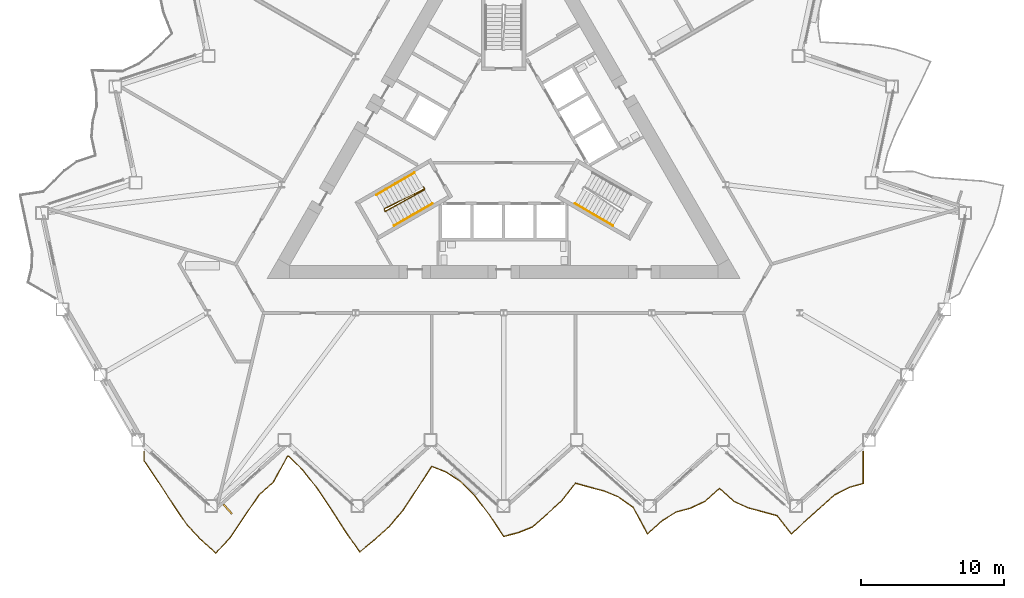
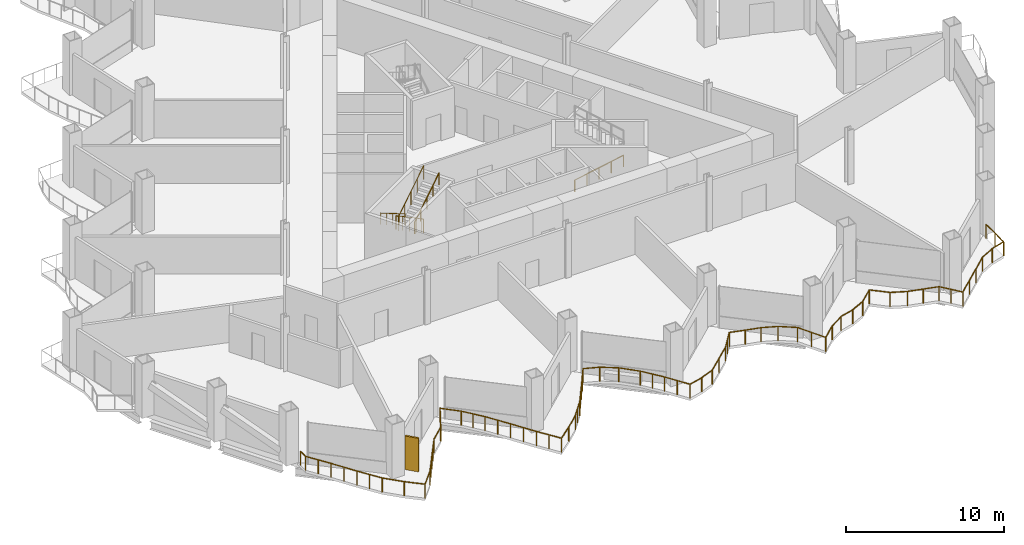
# One storey, part 17 of 21: 5 railings, 1 shading device.
"""IFC4 building model written with IfcOpenShell, lengths in metres."""

from ifc_helpers import new_model, si_unit, direction, frame, origin, origin_2d, place, context, subcontext, project, spatial, rectangle, circle, extrude, material, layer, layer_set, type_object, element, save


model = new_model("IFC4")

# Units and contexts
model_context = context("Model", 3, precision=1e-05, world=origin(), true_north=direction((0.0, 1.0)))
body_context = subcontext(model_context, "Body", "Model", "MODEL_VIEW")
ifc_project = project(units=[si_unit("LENGTHUNIT", "METRE"), si_unit("AREAUNIT", "SQUARE_METRE"), si_unit("VOLUMEUNIT", "CUBIC_METRE"), si_unit("PLANEANGLEUNIT", "RADIAN"), si_unit("MASSUNIT", "GRAM", prefix="KILO")], contexts=[model_context])

# Site, building, storey
site_placement = place(None, origin())
site = spatial("IfcSite", under=ifc_project, at=site_placement, CompositionType="ELEMENT")
building_placement = place(site_placement, origin())
building = spatial("IfcBuilding", under=site, at=building_placement, Name="Cormorant Prow Tower", CompositionType="ELEMENT")
storey_placement = place(building_placement, frame((0.0, 0.0, 120.60009765625)))
storey = spatial("IfcBuildingStorey", under=building, at=storey_placement, Name="L25", CompositionType="ELEMENT", Elevation=120.60009765625)

# Railings
ifc_material_1 = material(Name="Aluminium 6063-T6", Category="aluminium")
railing_type_1 = type_object("IfcRailingType", Name="Balcony guard 1100", PredefinedType="GUARDRAIL", material=ifc_material_1)
railing_1_placement = place(storey_placement, frame((-25.090087890625, -21.60546875, 0.0)))
element("IfcRailing", 1, at=railing_1_placement, inside=storey, type_object=railing_type_1, Name="Balcony guard S", PredefinedType="GUARDRAIL", context=body_context, shape_type="SweptSolid", body=[
    extrude(circle(Radius=0.02392578125, at=origin_2d()), frame((0.0, 0.0, 1.076171875), z_axis=(0.0, -1.0, 0.0), x_axis=(1.0, 0.0, 0.0)), (0.0, 0.0, 1.0), 0.63623046875),
    extrude(circle(Radius=0.02392578125, at=origin_2d()), frame((0.0, -0.63623046875, 1.076171875), z_axis=(0.563273034102, -0.82627083275, 0.0), x_axis=(0.82627083275, 0.563273034102, 0.0)), (0.0, 0.0, 1.0), 1.781494140625),
    extrude(circle(Radius=0.02392578125, at=origin_2d()), frame((1.00341796875, -2.108154296875, 1.076171875), z_axis=(0.541349794121, -0.840797478829, 0.0), x_axis=(0.840797478829, 0.541349794121, 0.0)), (0.0, 0.0, 1.0), 1.85400390625),
    extrude(circle(Radius=0.02392578125, at=origin_2d()), frame((2.007080078125, -3.6669921875, 1.076171875), z_axis=(0.565028770778, -0.825071201893, 0.0), x_axis=(0.825071201893, 0.565028770778, 0.0)), (0.0, 0.0, 1.0), 1.7763671875),
    extrude(circle(Radius=0.02392578125, at=origin_2d()), frame((3.0107421875, -5.132568359375, 1.076171875), z_axis=(0.690288024563, -0.723534686899, 0.0), x_axis=(0.723534686899, 0.690288024563, 0.0)), (0.0, 0.0, 1.0), 1.453857421875),
    extrude(circle(Radius=0.02392578125, at=origin_2d()), frame((4.014404296875, -6.1845703125, 1.076171875), z_axis=(0.743195257304, -0.669074591896, 0.0), x_axis=(0.669074591896, 0.743195257304, 0.0)), (0.0, 0.0, 1.0), 1.3505859375),
    extrude(circle(Radius=0.02392578125, at=origin_2d()), frame((5.01806640625, -7.088134765625, 1.076171875), z_axis=(0.671858739317, 0.740679306045, 0.0), x_axis=(-0.740679306045, 0.671858739317, 0.0)), (0.0, 0.0, 1.0), 1.493408203125),
    extrude(circle(Radius=0.02392578125, at=origin_2d()), frame((6.021484375, -5.98193359375, 1.076171875), z_axis=(0.560064685087, 0.828448881054, 0.0), x_axis=(-0.828448881054, 0.560064685087, 0.0)), (0.0, 0.0, 1.0), 1.7919921875),
    extrude(circle(Radius=0.02392578125, at=origin_2d()), frame((7.025146484375, -4.497314453125, 1.076171875), z_axis=(0.56387723091, 0.825858624984, 0.0), x_axis=(-0.825858624984, 0.56387723091, 0.0)), (0.0, 0.0, 1.0), 1.780029296875),
    extrude(circle(Radius=0.02392578125, at=origin_2d()), frame((8.02880859375, -3.02734375, 1.076171875), z_axis=(0.743105367012, 0.669174426826, 0.0), x_axis=(-0.669174426826, 0.743105367012, 0.0)), (0.0, 0.0, 1.0), 1.3505859375),
    extrude(circle(Radius=0.02392578125, at=origin_2d()), frame((9.032470703125, -2.12353515625, 1.076171875), z_axis=(0.480768788169, 0.876847405381, 0.0), x_axis=(-0.876847405381, 0.480768788169, 0.0)), (0.0, 0.0, 1.0), 2.087158203125),
    extrude(circle(Radius=0.02392578125, at=origin_2d()), frame((10.035888671875, -0.29345703125, 1.076171875), z_axis=(0.726272924684, -0.68740645827, 0.0), x_axis=(0.68740645827, 0.726272924684, 0.0)), (0.0, 0.0, 1.0), 1.3818359375),
    extrude(circle(Radius=0.02392578125, at=origin_2d()), frame((11.03955078125, -1.243408203125, 1.076171875), z_axis=(0.618784981269, -0.785560403124, 0.0), x_axis=(0.785560403124, 0.618784981269, 0.0)), (0.0, 0.0, 1.0), 1.6220703125),
    extrude(circle(Radius=0.02392578125, at=origin_2d()), frame((12.043212890625, -2.517578125, 1.076171875), z_axis=(0.556980517301, -0.830525558515, 0.0), x_axis=(0.830525558515, 0.556980517301, 0.0)), (0.0, 0.0, 1.0), 1.802001953125),
    extrude(circle(Radius=0.02392578125, at=origin_2d()), frame((13.046875, -4.01416015625, 1.076171875), z_axis=(0.541916624032, -0.840432253426, 0.0), x_axis=(0.840432253426, 0.541916624032, 0.0)), (0.0, 0.0, 1.0), 1.8515625),
    extrude(circle(Radius=0.02392578125, at=origin_2d()), frame((14.05029296875, -5.5703125, 1.076171875), z_axis=(0.572732805864, -0.819742113769, 0.0), x_axis=(0.819742113769, 0.572732805864, 0.0)), (0.0, 0.0, 1.0), 1.75244140625),
    extrude(circle(Radius=0.02392578125, at=origin_2d()), frame((15.053955078125, -7.0068359375, 1.076171875), z_axis=(0.773546340467, 0.633739740864, 0.0), x_axis=(-0.633739740864, 0.773546340467, 0.0)), (0.0, 0.0, 1.0), 1.29736328125),
    extrude(circle(Radius=0.02392578125, at=origin_2d()), frame((16.0576171875, -6.1845703125, 1.076171875), z_axis=(0.743195257304, 0.669074591896, 0.0), x_axis=(-0.669074591896, 0.743195257304, 0.0)), (0.0, 0.0, 1.0), 1.3505859375),
    extrude(circle(Radius=0.02392578125, at=origin_2d()), frame((17.061279296875, -5.281005859375, 1.076171875), z_axis=(0.646830511403, 0.762633784668, 0.0), x_axis=(-0.762633784668, 0.646830511403, 0.0)), (0.0, 0.0, 1.0), 1.5517578125),
    extrude(circle(Radius=0.02392578125, at=origin_2d()), frame((18.06494140625, -4.09765625, 1.076171875), z_axis=(0.554233434117, 0.832361280038, 0.0), x_axis=(-0.832361280038, 0.554233434117, 0.0)), (0.0, 0.0, 1.0), 1.810791015625),
    extrude(circle(Radius=0.02392578125, at=origin_2d()), frame((19.068603515625, -2.59033203125, 1.076171875), z_axis=(0.542638004838, 0.839966663449, 0.0), x_axis=(-0.839966663449, 0.542638004838, 0.0)), (0.0, 0.0, 1.0), 1.84912109375),
    extrude(circle(Radius=0.02392578125, at=origin_2d()), frame((20.072021484375, -1.037109375, 1.076171875), z_axis=(0.933128983239, -0.359541792618, 0.0), x_axis=(0.359541792618, 0.933128983239, 0.0)), (0.0, 0.0, 1.0), 1.07568359375),
    extrude(circle(Radius=0.02392578125, at=origin_2d()), frame((21.07568359375, -1.423828125, 1.076171875), z_axis=(0.834913663391, -0.550380935974, 0.0), x_axis=(0.550380935974, 0.834913663391, 0.0)), (0.0, 0.0, 1.0), 1.2021484375),
    extrude(circle(Radius=0.02392578125, at=origin_2d()), frame((22.079345703125, -2.08544921875, 1.076171875), z_axis=(0.707536920845, -0.706676379711, 0.0), x_axis=(0.706676379711, 0.707536920845, 0.0)), (0.0, 0.0, 1.0), 1.41845703125),
    extrude(circle(Radius=0.02392578125, at=origin_2d()), frame((23.0830078125, -3.087890625, 1.076171875), z_axis=(0.606140966144, -0.795357233677, 0.0), x_axis=(0.795357233677, 0.606140966144, 0.0)), (0.0, 0.0, 1.0), 1.655517578125),
    extrude(circle(Radius=0.02392578125, at=origin_2d()), frame((24.08642578125, -4.404541015625, 1.076171875), z_axis=(0.551754340842, -0.834006683044, 0.0), x_axis=(0.834006683044, 0.551754340842, 0.0)), (0.0, 0.0, 1.0), 1.819091796875),
    extrude(circle(Radius=0.02392578125, at=origin_2d()), frame((25.090087890625, -5.921630859375, 1.076171875), z_axis=(0.968499426252, 0.249015785344, 0.0), x_axis=(-0.249015785344, 0.968499426252, 0.0)), (0.0, 0.0, 1.0), 1.036376953125),
    extrude(circle(Radius=0.02392578125, at=origin_2d()), frame((26.09375, -5.66357421875, 1.076171875), z_axis=(0.927774479402, 0.373141414708, 0.0), x_axis=(-0.373141414708, 0.927774479402, 0.0)), (0.0, 0.0, 1.0), 1.08154296875),
    extrude(circle(Radius=0.02392578125, at=origin_2d()), frame((27.09716796875, -5.260009765625, 1.076171875), z_axis=(0.750865676171, 0.660454946494, 0.0), x_axis=(-0.660454946494, 0.750865676171, 0.0)), (0.0, 0.0, 1.0), 1.336669921875),
    extrude(circle(Radius=0.02392578125, at=origin_2d()), frame((28.100830078125, -4.377197265625, 1.076171875), z_axis=(0.743195257304, 0.669074591896, 0.0), x_axis=(-0.669074591896, 0.743195257304, 0.0)), (0.0, 0.0, 1.0), 1.3505859375),
    extrude(circle(Radius=0.02392578125, at=origin_2d()), frame((29.1044921875, -3.4736328125, 1.076171875), z_axis=(0.621500310543, 0.783413916136, 0.0), x_axis=(-0.783413916136, 0.621500310543, 0.0)), (0.0, 0.0, 1.0), 1.614990234375),
    extrude(circle(Radius=0.02392578125, at=origin_2d()), frame((30.108154296875, -2.20849609375, 1.076171875), z_axis=(0.962890989159, -0.26989061302, 0.0), x_axis=(0.26989061302, 0.962890989159, 0.0)), (0.0, 0.0, 1.0), 1.0419921875),
    extrude(circle(Radius=0.02392578125, at=origin_2d()), frame((31.111572265625, -2.48974609375, 1.076171875), z_axis=(0.967296661406, -0.253647725856, 0.0), x_axis=(0.253647725856, 0.967296661406, 0.0)), (0.0, 0.0, 1.0), 1.03759765625),
    extrude(circle(Radius=0.02392578125, at=origin_2d()), frame((32.115234375, -2.7529296875, 1.076171875), z_axis=(0.922191801101, -0.386732830236, 0.0), x_axis=(0.386732830236, 0.922191801101, 0.0)), (0.0, 0.0, 1.0), 1.08837890625),
    extrude(circle(Radius=0.02392578125, at=origin_2d()), frame((33.118896484375, -3.173828125, 1.076171875), z_axis=(0.815833326743, -0.578287111196, 0.0), x_axis=(0.578287111196, 0.815833326743, 0.0)), (0.0, 0.0, 1.0), 1.230224609375),
    extrude(circle(Radius=0.02392578125, at=origin_2d()), frame((34.12255859375, -3.88525390625, 1.076171875), z_axis=(0.476260755837, -0.879304095549, 0.0), x_axis=(0.879304095549, 0.476260755837, 0.0)), (0.0, 0.0, 1.0), 2.107421875),
    extrude(circle(Radius=0.02392578125, at=origin_2d()), frame((35.126220703125, -5.73828125, 1.076171875), z_axis=(0.743105367012, 0.669174426826, 0.0), x_axis=(-0.669174426826, 0.743105367012, 0.0)), (0.0, 0.0, 1.0), 1.3505859375),
    extrude(circle(Radius=0.02392578125, at=origin_2d()), frame((36.1298828125, -4.83447265625, 1.076171875), z_axis=(0.85103207517, 0.525113708669, 0.0), x_axis=(-0.525113708669, 0.85103207517, 0.0)), (0.0, 0.0, 1.0), 1.178955078125),
    extrude(circle(Radius=0.02392578125, at=origin_2d()), frame((37.13330078125, -4.21533203125, 1.076171875), z_axis=(0.965839968869, 0.259139257033, 0.0), x_axis=(-0.259139257033, 0.965839968869, 0.0)), (0.0, 0.0, 1.0), 1.0390625),
    extrude(circle(Radius=0.02392578125, at=origin_2d()), frame((38.136962890625, -3.946044921875, 1.076171875), z_axis=(0.904783784271, 0.425871229035, 0.0), x_axis=(-0.425871229035, 0.904783784271, 0.0)), (0.0, 0.0, 1.0), 1.109375),
    extrude(circle(Radius=0.02392578125, at=origin_2d()), frame((39.140625, -3.4736328125, 1.076171875), z_axis=(0.743105367012, 0.669174426826, 0.0), x_axis=(-0.669174426826, 0.743105367012, 0.0)), (0.0, 0.0, 1.0), 1.3505859375),
    extrude(circle(Radius=0.02392578125, at=origin_2d()), frame((40.144287109375, -2.56982421875, 1.076171875), z_axis=(0.743024407273, -0.669264320128, 0.0), x_axis=(0.669264320128, 0.743024407273, 0.0)), (0.0, 0.0, 1.0), 1.350341796875),
    extrude(circle(Radius=0.02392578125, at=origin_2d()), frame((41.147705078125, -3.4736328125, 1.076171875), z_axis=(0.910502956481, -0.413502558927, 0.0), x_axis=(0.413502558927, 0.910502956481, 0.0)), (0.0, 0.0, 1.0), 1.102294921875),
    extrude(circle(Radius=0.02392578125, at=origin_2d()), frame((42.1513671875, -3.929443359375, 1.076171875), z_axis=(0.966484215483, -0.25672604313, 0.0), x_axis=(0.25672604313, 0.966484215483, 0.0)), (0.0, 0.0, 1.0), 1.03857421875),
    extrude(circle(Radius=0.02392578125, at=origin_2d()), frame((43.155029296875, -4.196044921875, 1.076171875), z_axis=(0.964116899719, -0.265478066281, 0.0), x_axis=(0.265478066281, 0.964116899719, 0.0)), (0.0, 0.0, 1.0), 1.041015625),
    extrude(circle(Radius=0.02392578125, at=origin_2d()), frame((44.15869140625, -4.472412109375, 1.076171875), z_axis=(0.621186733266, -0.783662581992, 0.0), x_axis=(0.783662581992, 0.621186733266, 0.0)), (0.0, 0.0, 1.0), 1.615234375),
    extrude(circle(Radius=0.02392578125, at=origin_2d()), frame((45.162109375, -5.73828125, 1.076171875), z_axis=(0.743105367012, 0.669174426826, 0.0), x_axis=(-0.669174426826, 0.743105367012, 0.0)), (0.0, 0.0, 1.0), 1.3505859375),
    extrude(circle(Radius=0.02392578125, at=origin_2d()), frame((46.165771484375, -4.83447265625, 1.076171875), z_axis=(0.743195257304, 0.669074591896, 0.0), x_axis=(-0.669074591896, 0.743195257304, 0.0)), (0.0, 0.0, 1.0), 1.3505859375),
    extrude(circle(Radius=0.02392578125, at=origin_2d()), frame((47.16943359375, -3.930908203125, 1.076171875), z_axis=(0.743195257304, 0.669074591896, 0.0), x_axis=(-0.669074591896, 0.743195257304, 0.0)), (0.0, 0.0, 1.0), 1.3505859375),
    extrude(circle(Radius=0.02392578125, at=origin_2d()), frame((48.173095703125, -3.02734375, 1.076171875), z_axis=(0.888515498383, 0.458846607411, 0.0), x_axis=(-0.458846607411, 0.888515498383, 0.0)), (0.0, 0.0, 1.0), 1.129638671875),
    extrude(circle(Radius=0.02392578125, at=origin_2d()), frame((49.1767578125, -2.509033203125, 1.076171875), z_axis=(0.962034583565, 0.272927572856, 0.0), x_axis=(-0.272927572856, 0.962034583565, 0.0)), (0.0, 0.0, 1.0), 1.04296875),
    extrude(circle(Radius=0.02392578125, at=origin_2d()), frame((50.18017578125, -2.224365234375, 1.076171875), z_axis=(0.0, 1.0, 0.0), x_axis=(-1.0, 0.0, 0.0)), (0.0, 0.0, 1.0), 2.224365234375),
    extrude(circle(Radius=0.02099609375, at=origin_2d()), origin(), (0.0, 0.0, 1.0), 1.052001953125),
    extrude(circle(Radius=0.02099609375, at=origin_2d()), frame((0.0, -0.63623046875, 0.0)), (0.0, 0.0, 1.0), 1.052001953125),
    extrude(circle(Radius=0.02099609375, at=origin_2d()), frame((0.501708984375, -1.3720703125, 0.0)), (0.0, 0.0, 1.0), 1.052001953125),
    extrude(circle(Radius=0.02099609375, at=origin_2d()), frame((1.00341796875, -2.108154296875, 0.0)), (0.0, 0.0, 1.0), 1.052001953125),
    extrude(circle(Radius=0.02099609375, at=origin_2d()), frame((1.50537109375, -2.8876953125, 0.0)), (0.0, 0.0, 1.0), 1.052001953125),
    extrude(circle(Radius=0.02099609375, at=origin_2d()), frame((2.007080078125, -3.6669921875, 0.0)), (0.0, 0.0, 1.0), 1.052001953125),
    extrude(circle(Radius=0.02099609375, at=origin_2d()), frame((2.5087890625, -4.39990234375, 0.0)), (0.0, 0.0, 1.0), 1.052001953125),
    extrude(circle(Radius=0.02099609375, at=origin_2d()), frame((3.0107421875, -5.132568359375, 0.0)), (0.0, 0.0, 1.0), 1.052001953125),
    extrude(circle(Radius=0.02099609375, at=origin_2d()), frame((4.014404296875, -6.1845703125, 0.0)), (0.0, 0.0, 1.0), 1.052001953125),
    extrude(circle(Radius=0.02099609375, at=origin_2d()), frame((5.01806640625, -7.088134765625, 0.0)), (0.0, 0.0, 1.0), 1.052001953125),
    extrude(circle(Radius=0.02099609375, at=origin_2d()), frame((6.021484375, -5.98193359375, 0.0)), (0.0, 0.0, 1.0), 1.052001953125),
    extrude(circle(Radius=0.02099609375, at=origin_2d()), frame((6.5234375, -5.23974609375, 0.0)), (0.0, 0.0, 1.0), 1.052001953125),
    extrude(circle(Radius=0.02099609375, at=origin_2d()), frame((7.025146484375, -4.497314453125, 0.0)), (0.0, 0.0, 1.0), 1.052001953125),
    extrude(circle(Radius=0.02099609375, at=origin_2d()), frame((7.52685546875, -3.76220703125, 0.0)), (0.0, 0.0, 1.0), 1.052001953125),
    extrude(circle(Radius=0.02099609375, at=origin_2d()), frame((8.02880859375, -3.02734375, 0.0)), (0.0, 0.0, 1.0), 1.052001953125),
    extrude(circle(Radius=0.02099609375, at=origin_2d()), frame((9.032470703125, -2.12353515625, 0.0)), (0.0, 0.0, 1.0), 1.052001953125),
    extrude(circle(Radius=0.02099609375, at=origin_2d()), frame((9.5341796875, -1.20849609375, 0.0)), (0.0, 0.0, 1.0), 1.052001953125),
    extrude(circle(Radius=0.02099609375, at=origin_2d()), frame((10.035888671875, -0.29345703125, 0.0)), (0.0, 0.0, 1.0), 1.052001953125),
    extrude(circle(Radius=0.02099609375, at=origin_2d()), frame((11.03955078125, -1.243408203125, 0.0)), (0.0, 0.0, 1.0), 1.052001953125),
    extrude(circle(Radius=0.02099609375, at=origin_2d()), frame((11.54150390625, -1.88037109375, 0.0)), (0.0, 0.0, 1.0), 1.052001953125),
    extrude(circle(Radius=0.02099609375, at=origin_2d()), frame((12.043212890625, -2.517578125, 0.0)), (0.0, 0.0, 1.0), 1.052001953125),
    extrude(circle(Radius=0.02099609375, at=origin_2d()), frame((12.544921875, -3.265869140625, 0.0)), (0.0, 0.0, 1.0), 1.052001953125),
    extrude(circle(Radius=0.02099609375, at=origin_2d()), frame((13.046875, -4.01416015625, 0.0)), (0.0, 0.0, 1.0), 1.052001953125),
    extrude(circle(Radius=0.02099609375, at=origin_2d()), frame((13.548583984375, -4.792236328125, 0.0)), (0.0, 0.0, 1.0), 1.052001953125),
    extrude(circle(Radius=0.02099609375, at=origin_2d()), frame((14.05029296875, -5.5703125, 0.0)), (0.0, 0.0, 1.0), 1.052001953125),
    extrude(circle(Radius=0.02099609375, at=origin_2d()), frame((14.55224609375, -6.28857421875, 0.0)), (0.0, 0.0, 1.0), 1.052001953125),
    extrude(circle(Radius=0.02099609375, at=origin_2d()), frame((15.053955078125, -7.0068359375, 0.0)), (0.0, 0.0, 1.0), 1.052001953125),
    extrude(circle(Radius=0.02099609375, at=origin_2d()), frame((16.0576171875, -6.1845703125, 0.0)), (0.0, 0.0, 1.0), 1.052001953125),
    extrude(circle(Radius=0.02099609375, at=origin_2d()), frame((17.061279296875, -5.281005859375, 0.0)), (0.0, 0.0, 1.0), 1.052001953125),
    extrude(circle(Radius=0.02099609375, at=origin_2d()), frame((17.56298828125, -4.689453125, 0.0)), (0.0, 0.0, 1.0), 1.052001953125),
    extrude(circle(Radius=0.02099609375, at=origin_2d()), frame((18.06494140625, -4.09765625, 0.0)), (0.0, 0.0, 1.0), 1.052001953125),
    extrude(circle(Radius=0.02099609375, at=origin_2d()), frame((18.56689453125, -3.343994140625, 0.0)), (0.0, 0.0, 1.0), 1.052001953125),
    extrude(circle(Radius=0.02099609375, at=origin_2d()), frame((19.068603515625, -2.59033203125, 0.0)), (0.0, 0.0, 1.0), 1.052001953125),
    extrude(circle(Radius=0.02099609375, at=origin_2d()), frame((19.5703125, -1.813720703125, 0.0)), (0.0, 0.0, 1.0), 1.052001953125),
    extrude(circle(Radius=0.02099609375, at=origin_2d()), frame((20.072021484375, -1.037109375, 0.0)), (0.0, 0.0, 1.0), 1.052001953125),
    extrude(circle(Radius=0.02099609375, at=origin_2d()), frame((21.07568359375, -1.423828125, 0.0)), (0.0, 0.0, 1.0), 1.052001953125),
    extrude(circle(Radius=0.02099609375, at=origin_2d()), frame((22.079345703125, -2.08544921875, 0.0)), (0.0, 0.0, 1.0), 1.052001953125),
    extrude(circle(Radius=0.02099609375, at=origin_2d()), frame((23.0830078125, -3.087890625, 0.0)), (0.0, 0.0, 1.0), 1.052001953125),
    extrude(circle(Radius=0.02099609375, at=origin_2d()), frame((23.584716796875, -3.74609375, 0.0)), (0.0, 0.0, 1.0), 1.052001953125),
    extrude(circle(Radius=0.02099609375, at=origin_2d()), frame((24.08642578125, -4.404541015625, 0.0)), (0.0, 0.0, 1.0), 1.052001953125),
    extrude(circle(Radius=0.02099609375, at=origin_2d()), frame((24.58837890625, -5.1630859375, 0.0)), (0.0, 0.0, 1.0), 1.052001953125),
    extrude(circle(Radius=0.02099609375, at=origin_2d()), frame((25.090087890625, -5.921630859375, 0.0)), (0.0, 0.0, 1.0), 1.052001953125),
    extrude(circle(Radius=0.02099609375, at=origin_2d()), frame((26.09375, -5.66357421875, 0.0)), (0.0, 0.0, 1.0), 1.052001953125),
    extrude(circle(Radius=0.02099609375, at=origin_2d()), frame((27.09716796875, -5.260009765625, 0.0)), (0.0, 0.0, 1.0), 1.052001953125),
    extrude(circle(Radius=0.02099609375, at=origin_2d()), frame((28.100830078125, -4.377197265625, 0.0)), (0.0, 0.0, 1.0), 1.052001953125),
    extrude(circle(Radius=0.02099609375, at=origin_2d()), frame((29.1044921875, -3.4736328125, 0.0)), (0.0, 0.0, 1.0), 1.052001953125),
    extrude(circle(Radius=0.02099609375, at=origin_2d()), frame((29.6064453125, -2.841064453125, 0.0)), (0.0, 0.0, 1.0), 1.052001953125),
    extrude(circle(Radius=0.02099609375, at=origin_2d()), frame((30.108154296875, -2.20849609375, 0.0)), (0.0, 0.0, 1.0), 1.052001953125),
    extrude(circle(Radius=0.02099609375, at=origin_2d()), frame((31.111572265625, -2.48974609375, 0.0)), (0.0, 0.0, 1.0), 1.052001953125),
    extrude(circle(Radius=0.02099609375, at=origin_2d()), frame((32.115234375, -2.7529296875, 0.0)), (0.0, 0.0, 1.0), 1.052001953125),
    extrude(circle(Radius=0.02099609375, at=origin_2d()), frame((33.118896484375, -3.173828125, 0.0)), (0.0, 0.0, 1.0), 1.052001953125),
    extrude(circle(Radius=0.02099609375, at=origin_2d()), frame((34.12255859375, -3.88525390625, 0.0)), (0.0, 0.0, 1.0), 1.052001953125),
    extrude(circle(Radius=0.02099609375, at=origin_2d()), frame((34.62451171875, -4.811767578125, 0.0)), (0.0, 0.0, 1.0), 1.052001953125),
    extrude(circle(Radius=0.02099609375, at=origin_2d()), frame((35.126220703125, -5.73828125, 0.0)), (0.0, 0.0, 1.0), 1.052001953125),
    extrude(circle(Radius=0.02099609375, at=origin_2d()), frame((36.1298828125, -4.83447265625, 0.0)), (0.0, 0.0, 1.0), 1.052001953125),
    extrude(circle(Radius=0.02099609375, at=origin_2d()), frame((37.13330078125, -4.21533203125, 0.0)), (0.0, 0.0, 1.0), 1.052001953125),
    extrude(circle(Radius=0.02099609375, at=origin_2d()), frame((38.136962890625, -3.946044921875, 0.0)), (0.0, 0.0, 1.0), 1.052001953125),
    extrude(circle(Radius=0.02099609375, at=origin_2d()), frame((39.140625, -3.4736328125, 0.0)), (0.0, 0.0, 1.0), 1.052001953125),
    extrude(circle(Radius=0.02099609375, at=origin_2d()), frame((40.144287109375, -2.56982421875, 0.0)), (0.0, 0.0, 1.0), 1.052001953125),
    extrude(circle(Radius=0.02099609375, at=origin_2d()), frame((41.147705078125, -3.4736328125, 0.0)), (0.0, 0.0, 1.0), 1.052001953125),
    extrude(circle(Radius=0.02099609375, at=origin_2d()), frame((42.1513671875, -3.929443359375, 0.0)), (0.0, 0.0, 1.0), 1.052001953125),
    extrude(circle(Radius=0.02099609375, at=origin_2d()), frame((43.155029296875, -4.196044921875, 0.0)), (0.0, 0.0, 1.0), 1.052001953125),
    extrude(circle(Radius=0.02099609375, at=origin_2d()), frame((44.15869140625, -4.472412109375, 0.0)), (0.0, 0.0, 1.0), 1.052001953125),
    extrude(circle(Radius=0.02099609375, at=origin_2d()), frame((44.660400390625, -5.10546875, 0.0)), (0.0, 0.0, 1.0), 1.052001953125),
    extrude(circle(Radius=0.02099609375, at=origin_2d()), frame((45.162109375, -5.73828125, 0.0)), (0.0, 0.0, 1.0), 1.052001953125),
    extrude(circle(Radius=0.02099609375, at=origin_2d()), frame((46.165771484375, -4.83447265625, 0.0)), (0.0, 0.0, 1.0), 1.052001953125),
    extrude(circle(Radius=0.02099609375, at=origin_2d()), frame((47.16943359375, -3.930908203125, 0.0)), (0.0, 0.0, 1.0), 1.052001953125),
    extrude(circle(Radius=0.02099609375, at=origin_2d()), frame((48.173095703125, -3.02734375, 0.0)), (0.0, 0.0, 1.0), 1.052001953125),
    extrude(circle(Radius=0.02099609375, at=origin_2d()), frame((49.1767578125, -2.509033203125, 0.0)), (0.0, 0.0, 1.0), 1.052001953125),
    extrude(circle(Radius=0.02099609375, at=origin_2d()), frame((50.18017578125, -2.224365234375, 0.0)), (0.0, 0.0, 1.0), 1.052001953125),
    extrude(circle(Radius=0.02099609375, at=origin_2d()), frame((50.18017578125, -1.1123046875, 0.0)), (0.0, 0.0, 1.0), 1.052001953125),
    extrude(circle(Radius=0.02099609375, at=origin_2d()), frame((50.18017578125, 0.0, 0.0)), (0.0, 0.0, 1.0), 1.052001953125),
])
ifc_material_2 = material(Name="Stainless steel", Category="steel")
railing_type_2 = type_object("IfcRailingType", Name="Stair guard 1100", PredefinedType="GUARDRAIL", material=ifc_material_2)
railing_2_placement = place(storey_placement, frame((-5.585205078125, -3.137939453125, 0.0)))
element("IfcRailing", 2, at=railing_2_placement, inside=storey, type_object=railing_type_2, Name="L25 ST1 stair guard 1", PredefinedType="GUARDRAIL", context=body_context, shape_type="SweptSolid", body=[
    extrude(circle(Radius=0.02392578125, at=origin_2d()), frame((0.0, 0.0, 1.076171875), z_axis=(0.501036270542, -0.865426285481, 0.0), x_axis=(0.865426285481, 0.501036270542, 0.0)), (0.0, 0.0, 1.0), 0.150146484375),
    extrude(circle(Radius=0.02392578125, at=origin_2d()), frame((0.0751953125, -0.1298828125, 1.076171875), z_axis=(-0.744670798681, -0.368745611333, 0.556320119817), x_axis=(0.443754251299, -0.896148516963, 0.0)), (0.0, 0.0, 1.0), 3.774658203125),
    extrude(circle(Radius=0.02392578125, at=origin_2d()), frame((-2.735595703125, -1.521728515625, 3.17578125), z_axis=(0.274721127897, -0.961523947641, 0.0), x_axis=(0.961523947641, 0.274721127897, 0.0)), (0.0, 0.0, 1.0), 0.2060546875),
    extrude(circle(Radius=0.02392578125, at=origin_2d()), frame((-2.678955078125, -1.719970703125, 3.17578125), z_axis=(0.725738344322, 0.403670096391, 0.557094524171), x_axis=(-0.486086505765, 0.873910698477, 0.0)), (0.0, 0.0, 1.0), 3.769775390625),
    extrude(circle(Radius=0.02099609375, at=origin_2d()), origin(), (0.0, 0.0, 1.0), 1.052001953125),
    extrude(circle(Radius=0.02099609375, at=origin_2d()), frame((0.0751953125, -0.1298828125, 0.0)), (0.0, 0.0, 1.0), 1.052001953125),
    extrude(circle(Radius=0.02099609375, at=origin_2d()), frame((-0.62744140625, -0.477783203125, 0.52490234375)), (0.0, 0.0, 1.0), 1.052001953125),
    extrude(circle(Radius=0.02099609375, at=origin_2d()), frame((-1.330078125, -0.82568359375, 1.0498046875)), (0.0, 0.0, 1.0), 1.052001953125),
    extrude(circle(Radius=0.02099609375, at=origin_2d()), frame((-2.032958984375, -1.173828125, 1.574951171875)), (0.0, 0.0, 1.0), 1.052001953125),
    extrude(circle(Radius=0.02099609375, at=origin_2d()), frame((-2.735595703125, -1.521728515625, 2.099853515625)), (0.0, 0.0, 1.0), 1.052001953125),
    extrude(circle(Radius=0.02099609375, at=origin_2d()), frame((-2.678955078125, -1.719970703125, 2.099853515625)), (0.0, 0.0, 1.0), 1.052001953125),
    extrude(circle(Radius=0.02099609375, at=origin_2d()), frame((-1.9951171875, -1.339599609375, 2.625)), (0.0, 0.0, 1.0), 1.052001953125),
    extrude(circle(Radius=0.02099609375, at=origin_2d()), frame((-1.31103515625, -0.958984375, 3.14990234375)), (0.0, 0.0, 1.0), 1.052001953125),
    extrude(circle(Radius=0.02099609375, at=origin_2d()), frame((-0.626953125, -0.57861328125, 3.6748046875)), (0.0, 0.0, 1.0), 1.052001953125),
    extrude(circle(Radius=0.02099609375, at=origin_2d()), frame((0.056884765625, -0.1982421875, 4.199951171875)), (0.0, 0.0, 1.0), 1.052001953125),
])
ifc_material_3 = material(Name="Stainless steel", Category="steel")
railing_type_3 = type_object("IfcRailingType", Name="Stair handrail 900", PredefinedType="HANDRAIL", material=ifc_material_3)
railing_3_placement = place(storey_placement, frame((-6.212890625, -2.150634765625, 0.1748046875)))
element("IfcRailing", 3, at=railing_3_placement, inside=storey, type_object=railing_type_3, Name="L25 ST1 stair handrail 1", PredefinedType="HANDRAIL", context=body_context, shape_type="SweptSolid", body=[
    extrude(circle(Radius=0.02392578125, at=origin_2d()), frame((0.0, 0.0, 0.8759765625), z_axis=(-0.734394994316, -0.423994474112, 0.52999309264), x_axis=(0.499992328818, -0.866029832698, 0.0)), (0.0, 0.0, 1.0), 3.63232421875),
    extrude(circle(Radius=0.02099609375, at=origin_2d()), origin(), (0.0, 0.0, 1.0), 0.851806640625),
    extrude(circle(Radius=0.02099609375, at=origin_2d()), frame((-0.6669921875, -0.385009765625, 0.481201171875)), (0.0, 0.0, 1.0), 0.851806640625),
    extrude(circle(Radius=0.02099609375, at=origin_2d()), frame((-1.333740234375, -0.77001953125, 0.96240234375)), (0.0, 0.0, 1.0), 0.851806640625),
    extrude(circle(Radius=0.02099609375, at=origin_2d()), frame((-2.00048828125, -1.155029296875, 1.44384765625)), (0.0, 0.0, 1.0), 0.851806640625),
    extrude(circle(Radius=0.02099609375, at=origin_2d()), frame((-2.66748046875, -1.5400390625, 1.925048828125)), (0.0, 0.0, 1.0), 0.851806640625),
])
railing_4_placement = place(storey_placement, frame((-7.63623046875, -5.84521484375, 2.27490234375)))
element("IfcRailing", 4, at=railing_4_placement, inside=storey, type_object=railing_type_3, Name="L25 ST1 stair handrail 2", PredefinedType="HANDRAIL", context=body_context, shape_type="SweptSolid", body=[
    extrude(circle(Radius=0.02392578125, at=origin_2d()), frame((0.0, 0.0, 0.8759765625), z_axis=(0.734364028329, 0.424015404183, 0.530019255228), x_axis=(-0.500026652407, 0.866010015463, 0.0)), (0.0, 0.0, 1.0), 3.632080078125),
    extrude(circle(Radius=0.02099609375, at=origin_2d()), origin(), (0.0, 0.0, 1.0), 0.851806640625),
    extrude(circle(Radius=0.02099609375, at=origin_2d()), frame((0.666748046875, 0.385009765625, 0.481201171875)), (0.0, 0.0, 1.0), 0.851806640625),
    extrude(circle(Radius=0.02099609375, at=origin_2d()), frame((1.33349609375, 0.77001953125, 0.96240234375)), (0.0, 0.0, 1.0), 0.851806640625),
    extrude(circle(Radius=0.02099609375, at=origin_2d()), frame((2.00048828125, 1.155029296875, 1.44384765625)), (0.0, 0.0, 1.0), 0.851806640625),
    extrude(circle(Radius=0.02099609375, at=origin_2d()), frame((2.667236328125, 1.5400390625, 1.925048828125)), (0.0, 0.0, 1.0), 0.851806640625),
])
railing_5_placement = place(storey_placement, frame((4.968994140625, -4.30517578125, 0.1748046875)))
element("IfcRailing", 5, at=railing_5_placement, inside=storey, type_object=railing_type_3, Name="L25 ST2 stair handrail 1", PredefinedType="HANDRAIL", context=body_context, shape_type="SweptSolid", body=[
    extrude(circle(Radius=0.02392578125, at=origin_2d()), frame((0.0, 0.0, 0.8759765625), z_axis=(0.734364028329, -0.424015404183, 0.530019255228), x_axis=(0.500026652407, 0.866010015463, 0.0)), (0.0, 0.0, 1.0), 3.632080078125),
    extrude(circle(Radius=0.02099609375, at=origin_2d()), origin(), (0.0, 0.0, 1.0), 0.851806640625),
    extrude(circle(Radius=0.02099609375, at=origin_2d()), frame((0.666748046875, -0.385009765625, 0.481201171875)), (0.0, 0.0, 1.0), 0.851806640625),
    extrude(circle(Radius=0.02099609375, at=origin_2d()), frame((1.33349609375, -0.77001953125, 0.96240234375)), (0.0, 0.0, 1.0), 0.851806640625),
    extrude(circle(Radius=0.02099609375, at=origin_2d()), frame((2.00048828125, -1.155029296875, 1.44384765625)), (0.0, 0.0, 1.0), 0.851806640625),
    extrude(circle(Radius=0.02099609375, at=origin_2d()), frame((2.667236328125, -1.5400390625, 1.925048828125)), (0.0, 0.0, 1.0), 0.851806640625),
])

# Shading device
ifc_material_4 = material(Name="Terracotta", Category="masonry")
ifc_layer = layer(ifc_material_4, 0.1201171875)
ifc_layer_set = layer_set([ifc_layer], Name="Terracotta")
shading_device_type = type_object("IfcShadingDeviceType", Name="Terracotta baguette fin 120x900x2600", PredefinedType="USERDEFINED", material=ifc_layer_set)
shading_device_placement = place(storey_placement, frame((-19.25390625, -25.6123046875, -0.000244140625), z_axis=(0.0, 0.0, 1.0), x_axis=(0.74314483343, 0.669130597526, 0.0)))
element("IfcShadingDevice", 6, at=shading_device_placement, inside=storey, type_object=shading_device_type, Name="Baguette fin S01", ObjectType="BAGUETTE", PredefinedType="USERDEFINED", context=body_context, shape_type="SweptSolid", body=[
    extrude(rectangle(XDim=0.1201171875, YDim=0.89990234375, at=origin_2d()), origin(), (0.0, 0.0, 1.0), 2.60009765625),
])

save(model, "model.ifc")
